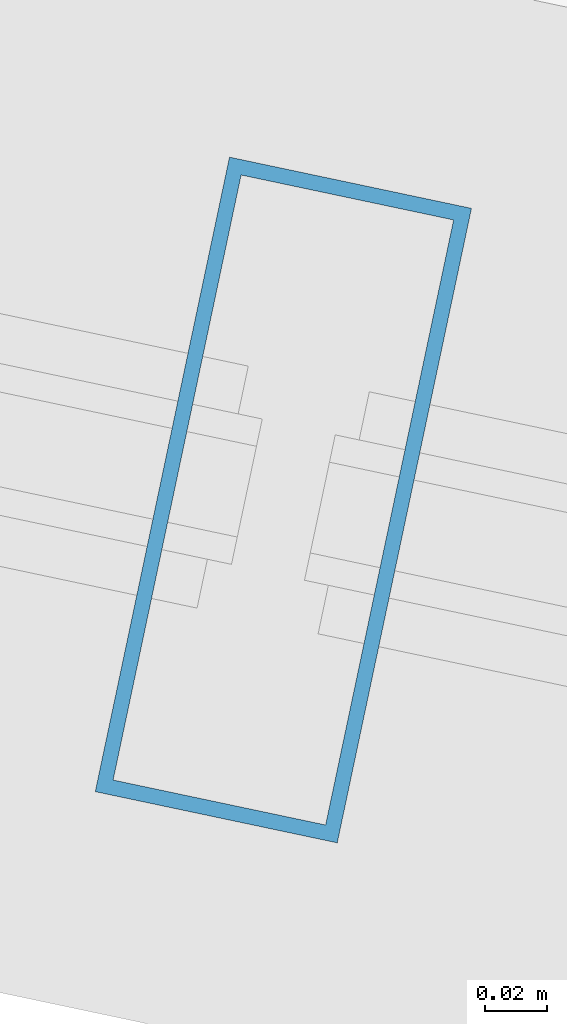
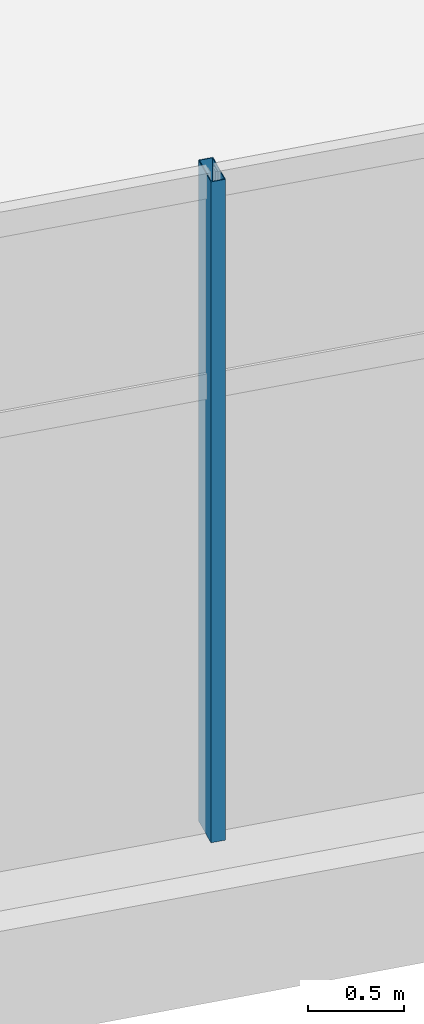
# One storey, part 16 of 184: 1 member, 1 element without a shape of its own.
"""IFC4 building model written with IfcOpenShell, lengths in metres."""

from ifc_helpers import new_model, si_unit, direction, frame, origin, origin_2d, place, context, subcontext, project, spatial, hollow_rectangle, extrude, material, layer, layer_set, material_profile, profile_set, type_object, element, aggregate, save


model = new_model("IFC4")

# Units and contexts
model_context = context("Model", 3, precision=1e-05, world=origin(), true_north=direction((0.0, 1.0)))
body_context = subcontext(model_context, "Body", "Model", "MODEL_VIEW")
ifc_project = project(units=[si_unit("LENGTHUNIT", "METRE"), si_unit("AREAUNIT", "SQUARE_METRE"), si_unit("VOLUMEUNIT", "CUBIC_METRE"), si_unit("PLANEANGLEUNIT", "RADIAN"), si_unit("MASSUNIT", "GRAM", prefix="KILO")], contexts=[model_context])

# Site, building, storey
site_placement = place(None, origin())
site = spatial("IfcSite", under=ifc_project, at=site_placement, CompositionType="ELEMENT")
building_placement = place(site_placement, origin())
building = spatial("IfcBuilding", under=site, at=building_placement, Name="Kazemori Nagisa Stadium", CompositionType="ELEMENT")
storey_placement = place(building_placement, frame((0.0, 0.0, 10.5400390625)))
storey = spatial("IfcBuildingStorey", under=building, at=storey_placement, Name="L02", CompositionType="ELEMENT", Elevation=10.5400390625)

# Curtain wall, member
ifc_material_1 = material(Name="Anodised aluminium 6063-T5", Category="aluminium")
ifc_layer = layer(ifc_material_1, 0.2099609375, Name="Anodised aluminium 6063-T5", Category="aluminium")
ifc_layer_set = layer_set([ifc_layer], Name="Anodised aluminium 6063-T5")
curtain_wall_type = type_object("IfcCurtainWallType", Name="CW_L02R3_105", PredefinedType="USERDEFINED", material=ifc_layer_set)
curtain_wall_placement = place(storey_placement, origin())
curtain_wall = element("IfcCurtainWall", 1, at=curtain_wall_placement, inside=storey, type_object=curtain_wall_type, Name="Unitised curtain wall CW-L02R3-105 L02", ObjectType="UNITISED CURTAIN WALL", PredefinedType="USERDEFINED")
ifc_material_2 = material(Name="Aluminium 6063-T5 anodised", Category="aluminium")
ifc_material_profile = material_profile(ifc_material_2, hollow_rectangle(XDim=0.080078125, YDim=0.2099609375, WallThickness=0.0048828125, at=origin_2d()), Name="ALU-MULL-80x210x5")
ifc_profile_set = profile_set([ifc_material_profile], Name="Aluminium 6063-T5 anodised")
member_type = type_object("IfcMemberType", Name="Mullion_M02", PredefinedType="MULLION", material=ifc_profile_set)
member_placement = place(storey_placement, frame((87.475830078125, 19.995361328125, 0.0), z_axis=(0.0, 0.0, 1.0), x_axis=(0.978344955407, -0.206981033502, 0.0)))
member = element("IfcMember", 2, at=member_placement, type_object=member_type, Name="Curtain wall mullion CW-L02R3-105-M2", PredefinedType="MULLION", context=body_context, shape_type="SweptSolid", body=[
    extrude(hollow_rectangle(XDim=0.080078125, YDim=0.2099609375, WallThickness=0.0048828125, at=origin_2d()), origin(), (0.0, 0.0, 1.0), 4.18994140625),
])
aggregate(curtain_wall, [member])

save(model, "model.ifc")
